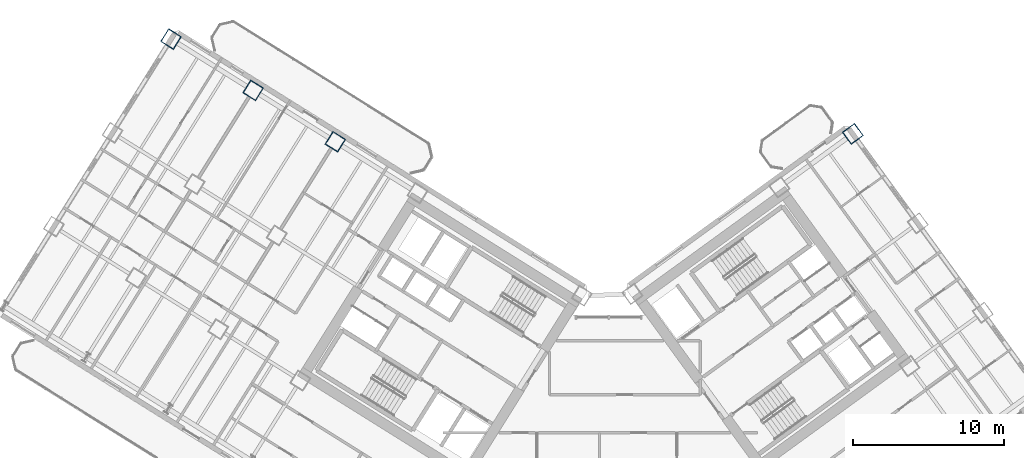
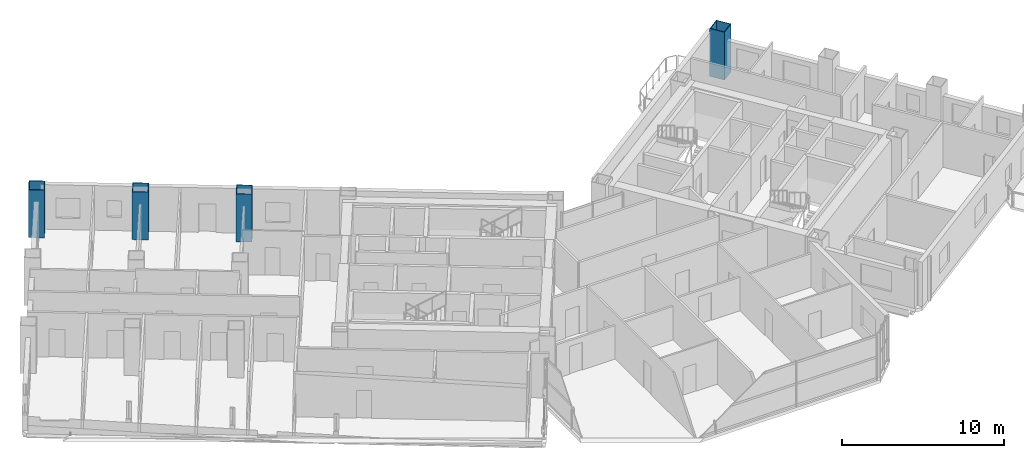
# One storey, part 3 of 24: 4 columns.
"""IFC4 building model written with IfcOpenShell, lengths in metres."""

from ifc_helpers import new_model, si_unit, direction, frame, origin, origin_2d, place, context, subcontext, project, spatial, hollow_rectangle, extrude, source, transform, mapped, material, material_profile, profile_set, type_object, element, save


model = new_model("IFC4")

# Units and contexts
model_context = context("Model", 3, precision=1e-05, world=origin(), true_north=direction((0.0, 1.0)))
body_context = subcontext(model_context, "Body", "Model", "MODEL_VIEW")
ifc_project = project(units=[si_unit("LENGTHUNIT", "METRE"), si_unit("AREAUNIT", "SQUARE_METRE"), si_unit("VOLUMEUNIT", "CUBIC_METRE"), si_unit("PLANEANGLEUNIT", "RADIAN"), si_unit("MASSUNIT", "GRAM", prefix="KILO")], contexts=[model_context])

# Site, building, storey
site_placement = place(None, origin())
site = spatial("IfcSite", under=ifc_project, at=site_placement, CompositionType="ELEMENT")
building_placement = place(site_placement, origin())
building = spatial("IfcBuilding", under=site, at=building_placement, Name="Tlacorven Tower", CompositionType="ELEMENT")
storey_placement = place(building_placement, frame((0.0, 0.0, 60.0)))
storey = spatial("IfcBuildingStorey", under=building, at=storey_placement, Name="L15", CompositionType="ELEMENT", Elevation=60.0)

# Columns
ifc_material = material(Name="Steel S460M", Category="steel")
ifc_material_profile = material_profile(ifc_material, hollow_rectangle(XDim=1.0, YDim=1.0, WallThickness=0.0400390625, at=origin_2d()), Name="BOX 1000X1000X40")
ifc_profile_set = profile_set([ifc_material_profile], Name="Steel S460M")
column_type = type_object("IfcColumnType", Name="COL-TWR-S1", PredefinedType="COLUMN", material=ifc_profile_set)
shared_shape = source(origin(), body_context, "Body", "SweptSolid", [
    extrude(hollow_rectangle(XDim=1.0, YDim=1.0, WallThickness=0.0400390625, at=origin_2d()), origin(), (0.0, 0.0, 1.0), 3.60009765625),
])
for number, where, z_axis, x_axis, name in (
    (1, (24.50048828125, 34.642822265625, 0.0), (0.0, 0.0, 1.0), (-0.848048096156, 0.529919264233, 0.0), "L15 column COL-L15-W4-1"),
    (2, (19.072998046875, 38.034423828125, 0.0), (0.0, 0.0, 1.0), (-0.848048096156, 0.529919264233, 0.0), "L15 column COL-L15-W5-1"),
    (3, (13.6455078125, 41.42578125, 0.0), (0.0, 0.0, 1.0), (-0.848048096156, 0.529919264233, 0.0), "L15 column COL-L15-W6-1"),
    (4, (58.68603515625, 35.165283203125, 0.0), (0.0, 0.0, 1.0), (0.809016994375, 0.587785252292, 0.0), "L15 column COL-L15-E4-4"),
):
    element("IfcColumn", number, at=place(storey_placement, frame(where, z_axis=z_axis, x_axis=x_axis)), inside=storey, type_object=column_type, Name=name, PredefinedType="COLUMN", context=body_context, shape_type="MappedRepresentation", body=[
        mapped(shared_shape, transform((0.0, 0.0, 0.0), scale=1.0)),
    ])

save(model, "model.ifc")
